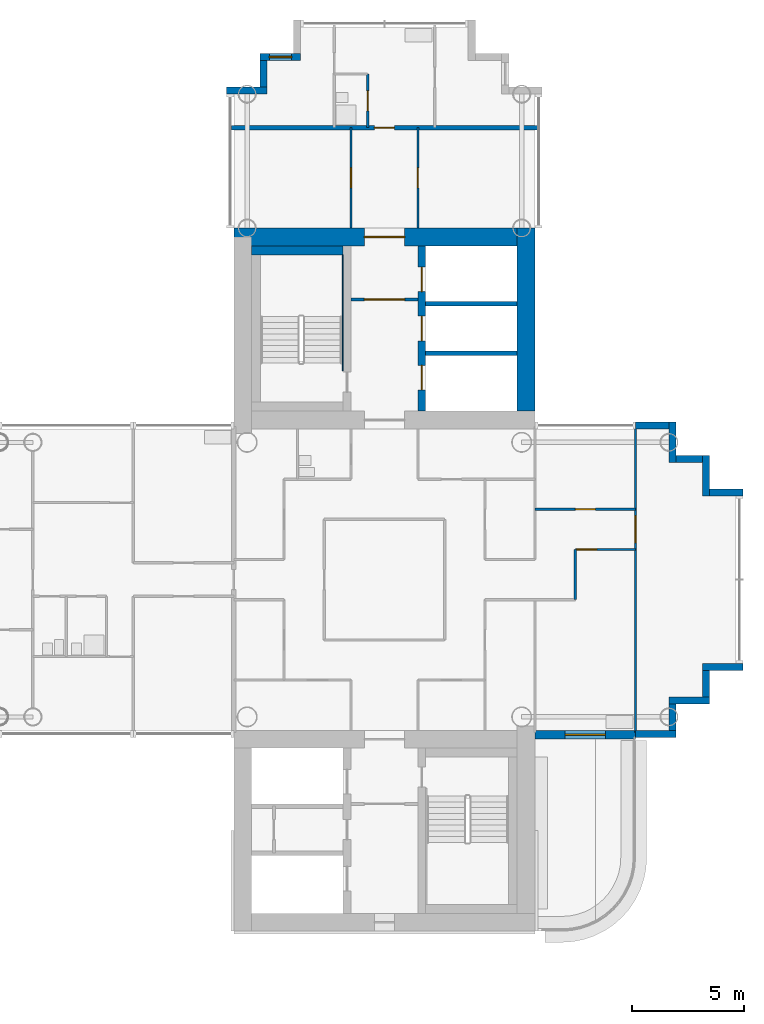
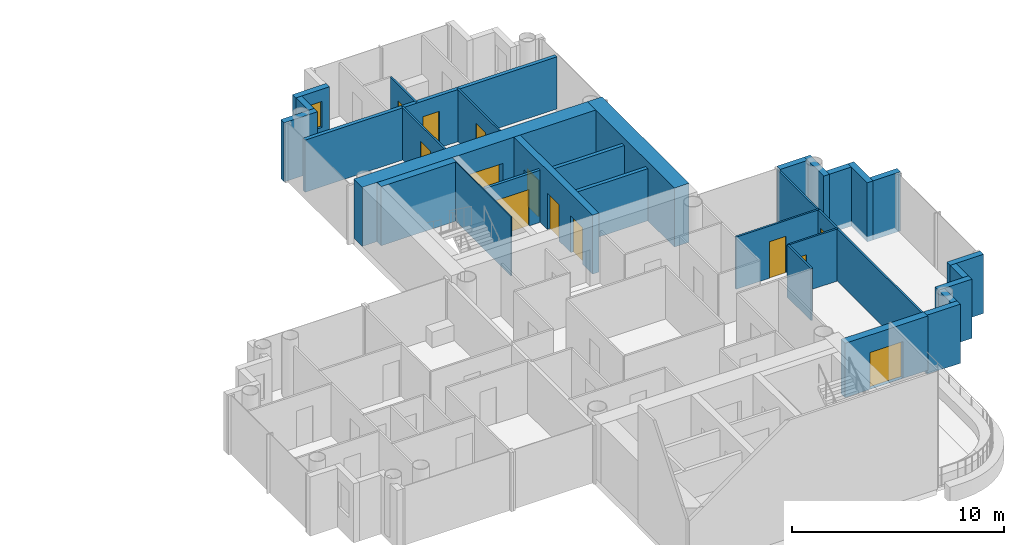
# One storey, part 12 of 20: 30 walls, 13 doors, 1 window, 14 openings.
"""IFC4 building model written with IfcOpenShell, lengths in metres."""

import ifcopenshell
import ifcopenshell.guid

model = None  # the IFC model being written
_history = None  # IfcOwnerHistory: only IFC2X3 demands one
_inside = {}  # id of a spatial element -> (the spatial element, [elements in it])
_under = {}  # id of a project, library or spatial element -> (it, [spatial elements below it])
_declared = {}  # id of a project -> (the project, [libraries it declares])
_typed = {}  # id of a type object -> (the type object, [elements of that type])
_made_of = {}  # id of a material, layer set ... -> (it, [elements and type objects made of it])


def new_model(schema):
    """Start an empty IFC model of exactly this schema.

    Asked for "IFC4X3", IfcOpenShell would pick the latest addendum, in which some entities
    have other attributes; the version numbers below select the first issue.
    IFC2X3 requires an IfcOwnerHistory on every rooted entity: one is made here for all.
    """
    global model, _history
    if schema == "IFC4X3":
        model = ifcopenshell.file(schema_version=(4, 3, 0, 0))
    else:
        model = ifcopenshell.file(schema=schema)
    _inside.clear()
    _under.clear()
    _declared.clear()
    _typed.clear()
    _made_of.clear()
    _history = None
    if model.schema == "IFC2X3":
        org = make("IfcOrganization", Name="unknown")
        user = make(
            "IfcPersonAndOrganization",
            ThePerson=make("IfcPerson", FamilyName="unknown"),
            TheOrganization=org,
        )
        app = make(
            "IfcApplication",
            ApplicationDeveloper=org,
            Version="unknown",
            ApplicationFullName="unknown",
            ApplicationIdentifier="unknown",
        )
        _history = make(
            "IfcOwnerHistory",
            OwningUser=user,
            OwningApplication=app,
            ChangeAction="ADDED",
            CreationDate=0,
        )
    return model


def make(cls, **values):
    """One entity of the class cls with the attributes given. An attribute that is None is left unset."""
    return model.create_entity(
        cls, **{name: value for name, value in values.items() if value is not None}
    )


def rooted(cls, **values):
    """An entity with a GlobalId (a new one), such as an element, a storey or a relation."""
    return make(cls, GlobalId=ifcopenshell.guid.new(), OwnerHistory=_history, **values)


def si_unit(unit_type, name, prefix=None):
    """IfcSIUnit, for example si_unit("LENGTHUNIT", "METRE", prefix="MILLI")."""
    return make("IfcSIUnit", UnitType=unit_type, Prefix=prefix, Name=name)


def assignment(units):
    """IfcUnitAssignment: the units of a project."""
    return None if units is None else make("IfcUnitAssignment", Units=units)


def point(xyz):
    """IfcCartesianPoint."""
    return None if xyz is None else make("IfcCartesianPoint", Coordinates=xyz)


def direction(xyz):
    """IfcDirection."""
    return None if xyz is None else make("IfcDirection", DirectionRatios=xyz)


def frame(location, z_axis=None, x_axis=None):
    """IfcAxis2Placement3D, a coordinate frame: its origin and axes. An axis left out is left unset."""
    return make(
        "IfcAxis2Placement3D",
        Location=point(location),
        Axis=direction(z_axis),
        RefDirection=direction(x_axis),
    )


def frame_2d(location, x_axis=None):
    """IfcAxis2Placement2D, a coordinate frame in the plane: its origin and x axis."""
    return make(
        "IfcAxis2Placement2D", Location=point(location), RefDirection=direction(x_axis)
    )


def origin():
    """The frame at (0, 0, 0) with its axes left unset."""
    return frame((0.0, 0.0, 0.0))


def place(relative_to, where):
    """IfcLocalPlacement: puts the frame where relative to a parent placement (None: the world)."""
    return make(
        "IfcLocalPlacement", PlacementRelTo=relative_to, RelativePlacement=where
    )


def context(
    kind, dimensions, precision=None, world=None, true_north=None, identifier=None
):
    """IfcGeometricRepresentationContext, for example the 3D "Model" context."""
    return make(
        "IfcGeometricRepresentationContext",
        ContextIdentifier=identifier,
        ContextType=kind,
        CoordinateSpaceDimension=dimensions,
        Precision=precision,
        WorldCoordinateSystem=world,
        TrueNorth=true_north,
    )


def subcontext(parent, identifier, kind, view, scale=None):
    """IfcGeometricRepresentationSubContext, for example "Body" below "Model"."""
    return make(
        "IfcGeometricRepresentationSubContext",
        ContextIdentifier=identifier,
        ContextType=kind,
        ParentContext=parent,
        TargetScale=scale,
        TargetView=view,
    )


def project(units=None, contexts=None):
    """IfcProject with its units and contexts."""
    return rooted(
        "IfcProject",
        Name="project",
        RepresentationContexts=contexts,
        UnitsInContext=assignment(units),
    )


def spatial(cls, under=None, at=None, **own):
    """A site, building, storey or space (cls), placed at a placement, below another one or the project."""
    s = rooted(cls, ObjectPlacement=at, **own)
    if under is not None:
        _under.setdefault(under.id(), (under, []))[1].append(s)
    return s


def profile(cls, at=None, kind="AREA", **sizes):
    """A parametric profile (cls). Its sizes go by their IFC names, for example OverallWidth=200.0."""
    return make(cls, ProfileType=kind, Position=at, **sizes)


def rectangle(**sizes):
    """IfcRectangleProfileDef."""
    return profile("IfcRectangleProfileDef", **sizes)


def extrude(swept, where, along, depth):
    """IfcExtrudedAreaSolid: the profile swept, set in the frame where, extruded along a direction by depth."""
    return make(
        "IfcExtrudedAreaSolid",
        SweptArea=swept,
        Position=where,
        ExtrudedDirection=direction(along),
        Depth=depth,
    )


def shape(context_of_items, identifier, shape_type, items):
    """IfcShapeRepresentation: the items that make up one representation, for example the "Body"."""
    return make(
        "IfcShapeRepresentation",
        ContextOfItems=context_of_items,
        RepresentationIdentifier=identifier,
        RepresentationType=shape_type,
        Items=items,
    )


def material(Name=None, Category=None):
    """IfcMaterial."""
    return make("IfcMaterial", Name=Name, Category=Category)


def layer(
    of_material, thickness, ventilated=None, Name=None, Category=None, Priority=None
):
    """IfcMaterialLayer: one layer of a wall or slab, of a material (None: an air gap)."""
    return make(
        "IfcMaterialLayer",
        Material=of_material,
        LayerThickness=thickness,
        IsVentilated=ventilated,
        Name=Name,
        Category=Category,
        Priority=Priority,
    )


def layer_set(layers, Name=None):
    """IfcMaterialLayerSet."""
    return make("IfcMaterialLayerSet", MaterialLayers=layers, LayerSetName=Name)


def made_of(thing, what):
    """Note that an element or type object is made of a material, layer set ...; save() writes the relation."""
    if what is not None:
        _made_of.setdefault(what.id(), (what, []))[1].append(thing)
    return thing


def type_object(cls, material=None, **own):
    """A type object (cls), such as IfcWallType, which elements share."""
    return made_of(rooted(cls, **own), material)


def element(
    cls,
    number,
    at=None,
    inside=None,
    cuts=None,
    type_object=None,
    material=None,
    context=None,
    identifier="Body",
    shape_type=None,
    held_by="IfcProductDefinitionShape",
    body=None,
    shapes=None,
    **own,
):
    """One element of the class cls, such as IfcWall. Its Tag is "e" and its number.

    at: its placement. inside: the storey or other place that contains it. cuts: it is an
    opening in that element (IfcRelVoidsElement). A single representation is given by context,
    identifier, shape_type and body (its items); several are given by shapes. held_by: the class
    of the entity that holds the representations. save() writes the other relations.
    """
    e = rooted(cls, Tag="e%d" % number, ObjectPlacement=at, **own)
    if body is not None:
        shapes = [shape(context, identifier, shape_type, body)]
    if shapes is not None:
        e.Representation = make(held_by, Representations=shapes)
    if inside is not None:
        _inside.setdefault(inside.id(), (inside, []))[1].append(e)
    if cuts is not None:
        rooted(
            "IfcRelVoidsElement", RelatingBuildingElement=cuts, RelatedOpeningElement=e
        )
    if type_object is not None:
        _typed.setdefault(type_object.id(), (type_object, []))[1].append(e)
    return made_of(e, material)


def fill(opening, filler):
    """IfcRelFillsElement: the door or window that sits in an opening."""
    return rooted(
        "IfcRelFillsElement",
        RelatingOpeningElement=opening,
        RelatedBuildingElement=filler,
    )


def aggregate(whole, parts):
    """IfcRelAggregates: a whole, such as a stair, and the parts it consists of."""
    return rooted("IfcRelAggregates", RelatingObject=whole, RelatedObjects=parts)


def save(model, path):
    """Write the relations noted so far, then the file.

    IfcRelAggregates (storeys below a building ...), IfcRelContainedInSpatialStructure (elements
    in a storey), IfcRelDefinesByType, IfcRelAssociatesMaterial and IfcRelDeclares: one each for
    every whole, place, type object, material and project.
    """
    for whole, parts in _under.values():
        aggregate(whole, parts)
    for where, things in _inside.values():
        rooted(
            "IfcRelContainedInSpatialStructure",
            RelatedElements=things,
            RelatingStructure=where,
        )
    for kind, things in _typed.values():
        rooted("IfcRelDefinesByType", RelatedObjects=things, RelatingType=kind)
    for what, things in _made_of.values():
        rooted("IfcRelAssociatesMaterial", RelatedObjects=things, RelatingMaterial=what)
    for by, libraries in _declared.values():
        rooted("IfcRelDeclares", RelatingContext=by, RelatedDefinitions=libraries)
    model.write(path)


model = new_model("IFC4")

# Units and contexts
model_context = context("Model", 3, precision=1e-05, world=origin(), true_north=direction((0.0, 1.0)))
body_context = subcontext(model_context, "Body", "Model", "MODEL_VIEW")
ifc_project = project(units=[si_unit("LENGTHUNIT", "METRE"), si_unit("AREAUNIT", "SQUARE_METRE"), si_unit("VOLUMEUNIT", "CUBIC_METRE"), si_unit("PLANEANGLEUNIT", "RADIAN"), si_unit("MASSUNIT", "GRAM", prefix="KILO")], contexts=[model_context])

# Site, building, storey
site_placement = place(None, origin())
site = spatial("IfcSite", under=ifc_project, at=site_placement, CompositionType="ELEMENT")
building_placement = place(site_placement, origin())
building = spatial("IfcBuilding", under=site, at=building_placement, Name="Ipe Terrace Towers", CompositionType="ELEMENT")
storey_placement = place(building_placement, frame((0.0, 0.0, 154.10009765625)))
storey = spatial("IfcBuildingStorey", under=building, at=storey_placement, Name="L42", CompositionType="ELEMENT", Elevation=154.10009765625)

# Wall, opening, door
ifc_material_1 = material(Name="Concrete C40/50 with buff precast cladding", Category="concrete")
ifc_layer_1 = layer(ifc_material_1, 0.39990234375)
ifc_layer_set_1 = layer_set([ifc_layer_1], Name="BALCONY BAY WALL 400")
wall_type_1 = type_object("IfcWallType", Name="BALCONY BAY WALL 400", PredefinedType="STANDARD", material=ifc_layer_set_1)
wall_1_placement = place(storey_placement, frame((42.75, -6.949951171875, -0.02001953125), z_axis=(0.0, 0.0, 1.0), x_axis=(1.0, 0.0, 0.0)))
wall_1 = element("IfcWall", 1, at=wall_1_placement, inside=storey, type_object=wall_type_1, Name="T2-W-L42-02a wall", PredefinedType="STANDARD", context=body_context, shape_type="SweptSolid", body=[
    extrude(rectangle(XDim=4.5, YDim=0.39990234375, at=frame_2d((2.25, 0.0))), origin(), (0.0, 0.0, 1.0), 3.119873046875),
])
opening_1_placement = place(wall_1_placement, frame((1.35009765625, 0.0, 0.02001953125)))
opening_1 = element("IfcOpeningElement", 2, at=opening_1_placement, cuts=wall_1, Name="Opening T2-D-L42-02", PredefinedType="OPENING", context=body_context, shape_type="SweptSolid", body=[
    extrude(rectangle(XDim=1.800048828125, YDim=2.10009765625, at=frame_2d((0.89990234375, 1.050048828125))), frame((0.0, 0.2099609375, 0.0), z_axis=(0.0, -1.0, 0.0), x_axis=(1.0, 0.0, 0.0)), (0.0, 0.0, 1.0), 0.419921875),
])
ifc_material_2 = material(Name="Aluminium alloy 6063-T6 framed glazed door", Category="aluminium")
door_type_1 = type_object("IfcDoorType", Name="BALCONY DOOR 1800 x 2100 RIGHT", OperationType="SINGLE_SWING_RIGHT", PredefinedType="DOOR", material=ifc_material_2)
door_1_placement = place(opening_1_placement, origin())
door_1 = element("IfcDoor", 3, at=door_1_placement, inside=storey, type_object=door_type_1, Name="DB2 door", OperationType="SINGLE_SWING_RIGHT", OverallHeight=2.10009765625, OverallWidth=1.800048828125, PredefinedType="DOOR", context=body_context, shape_type="SweptSolid", body=[
    extrude(rectangle(XDim=1.800048828125, YDim=2.10009765625, at=frame_2d((0.89990234375, 1.050048828125))), frame((0.0, 0.02490234375, 0.0), z_axis=(0.0, -1.0, 0.0), x_axis=(1.0, 0.0, 0.0)), (0.0, 0.0, 1.0), 0.050048828125),
])
fill(opening_1, door_1)

# Walls
ifc_material_3 = material(Name="Concrete C40/50 with buff precast cladding", Category="concrete")
ifc_layer_2 = layer(ifc_material_3, 0.320068359375)
ifc_layer_set_2 = layer_set([ifc_layer_2], Name="BUFF CLADDING WALL 320")
wall_type_2 = type_object("IfcWallType", Name="BUFF CLADDING WALL 320", PredefinedType="STANDARD", material=ifc_layer_set_2)
wall_2_placement = place(storey_placement, frame((47.25, -6.909912109375, -0.300048828125), z_axis=(0.0, 0.0, 1.0), x_axis=(1.0, 0.0, 0.0)))
element("IfcWall", 4, at=wall_2_placement, inside=storey, type_object=wall_type_2, Name="T2-W-L42-03a wall", PredefinedType="STANDARD", context=body_context, shape_type="SweptSolid", body=[
    extrude(rectangle(XDim=1.820068359375, YDim=0.320068359375, at=frame_2d((0.91015625, 0.0))), origin(), (0.0, 0.0, 1.0), 3.39990234375),
])
wall_3_placement = place(storey_placement, frame((48.909912109375, -6.75, -0.300048828125), z_axis=(0.0, 0.0, 1.0), x_axis=(0.0, 1.0, 0.0)))
element("IfcWall", 5, at=wall_3_placement, inside=storey, type_object=wall_type_2, Name="T2-W-L42-04a wall", PredefinedType="STANDARD", context=body_context, shape_type="SweptSolid", body=[
    extrude(rectangle(XDim=1.179931640625, YDim=0.320068359375, at=frame_2d((0.58984375, 0.0))), origin(), (0.0, 0.0, 1.0), 3.39990234375),
])
wall_4_placement = place(storey_placement, frame((48.75, -5.409912109375, -0.300048828125), z_axis=(0.0, 0.0, 1.0), x_axis=(1.0, 0.0, 0.0)))
element("IfcWall", 6, at=wall_4_placement, inside=storey, type_object=wall_type_2, Name="T2-W-L42-05a wall", PredefinedType="STANDARD", context=body_context, shape_type="SweptSolid", body=[
    extrude(rectangle(XDim=1.820068359375, YDim=0.320068359375, at=frame_2d((0.91015625, 0.0))), origin(), (0.0, 0.0, 1.0), 3.39990234375),
])
wall_5_placement = place(storey_placement, frame((50.409912109375, -5.25, -0.300048828125), z_axis=(0.0, 0.0, 1.0), x_axis=(0.0, 1.0, 0.0)))
element("IfcWall", 7, at=wall_5_placement, inside=storey, type_object=wall_type_2, Name="T2-W-L42-06a wall", PredefinedType="STANDARD", context=body_context, shape_type="SweptSolid", body=[
    extrude(rectangle(XDim=1.179931640625, YDim=0.320068359375, at=frame_2d((0.58984375, 0.0))), origin(), (0.0, 0.0, 1.0), 3.39990234375),
])
wall_6_placement = place(storey_placement, frame((50.25, -3.909912109375, -0.300048828125), z_axis=(0.0, 0.0, 1.0), x_axis=(1.0, 0.0, 0.0)))
element("IfcWall", 8, at=wall_6_placement, inside=storey, type_object=wall_type_2, Name="T2-W-L42-07a wall", PredefinedType="STANDARD", context=body_context, shape_type="SweptSolid", body=[
    extrude(rectangle(XDim=1.820068359375, YDim=0.320068359375, at=frame_2d((0.91015625, 0.0))), origin(), (0.0, 0.0, 1.0), 3.39990234375),
])
wall_7_placement = place(storey_placement, frame((52.070068359375, 3.909912109375, -0.300048828125), z_axis=(0.0, 0.0, 1.0), x_axis=(-1.0, 0.0, 0.0)))
element("IfcWall", 9, at=wall_7_placement, inside=storey, type_object=wall_type_2, Name="T2-W-L42-09a wall", PredefinedType="STANDARD", context=body_context, shape_type="SweptSolid", body=[
    extrude(rectangle(XDim=1.5, YDim=0.320068359375, at=frame_2d((0.75, 0.0))), origin(), (0.0, 0.0, 1.0), 3.39990234375),
])
wall_8_placement = place(storey_placement, frame((50.409912109375, 3.75, -0.300048828125), z_axis=(0.0, 0.0, 1.0), x_axis=(0.0, 1.0, 0.0)))
element("IfcWall", 10, at=wall_8_placement, inside=storey, type_object=wall_type_2, Name="T2-W-L42-10a wall", PredefinedType="STANDARD", context=body_context, shape_type="SweptSolid", body=[
    extrude(rectangle(XDim=1.820068359375, YDim=0.320068359375, at=frame_2d((0.91015625, 0.0))), origin(), (0.0, 0.0, 1.0), 3.39990234375),
])
wall_9_placement = place(storey_placement, frame((50.25, 5.409912109375, -0.300048828125), z_axis=(0.0, 0.0, 1.0), x_axis=(-1.0, 0.0, 0.0)))
element("IfcWall", 11, at=wall_9_placement, inside=storey, type_object=wall_type_2, Name="T2-W-L42-11a wall", PredefinedType="STANDARD", context=body_context, shape_type="SweptSolid", body=[
    extrude(rectangle(XDim=1.179931640625, YDim=0.320068359375, at=frame_2d((0.58984375, 0.0))), origin(), (0.0, 0.0, 1.0), 3.39990234375),
])
wall_10_placement = place(storey_placement, frame((48.909912109375, 5.25, -0.300048828125), z_axis=(0.0, 0.0, 1.0), x_axis=(0.0, 1.0, 0.0)))
element("IfcWall", 12, at=wall_10_placement, inside=storey, type_object=wall_type_2, Name="T2-W-L42-12a wall", PredefinedType="STANDARD", context=body_context, shape_type="SweptSolid", body=[
    extrude(rectangle(XDim=1.820068359375, YDim=0.320068359375, at=frame_2d((0.91015625, 0.0))), origin(), (0.0, 0.0, 1.0), 3.39990234375),
])
wall_11_placement = place(storey_placement, frame((48.75, 6.909912109375, -0.300048828125), z_axis=(0.0, 0.0, 1.0), x_axis=(-1.0, 0.0, 0.0)))
element("IfcWall", 13, at=wall_11_placement, inside=storey, type_object=wall_type_2, Name="T2-W-L42-13a wall", PredefinedType="STANDARD", context=body_context, shape_type="SweptSolid", body=[
    extrude(rectangle(XDim=1.5, YDim=0.320068359375, at=frame_2d((0.75, 0.0))), origin(), (0.0, 0.0, 1.0), 3.39990234375),
])

# Wall, opening, window
wall_12_placement = place(storey_placement, frame((32.25, 23.409912109375, -0.300048828125), z_axis=(0.0, 0.0, 1.0), x_axis=(-1.0, 0.0, 0.0)))
wall_12 = element("IfcWall", 14, at=wall_12_placement, inside=storey, type_object=wall_type_2, Name="T2-W-L42-23a wall", PredefinedType="STANDARD", context=body_context, shape_type="SweptSolid", body=[
    extrude(rectangle(XDim=1.820068359375, YDim=0.320068359375, at=frame_2d((0.91015625, 0.0))), origin(), (0.0, 0.0, 1.0), 3.39990234375),
])
opening_2_placement = place(wall_12_placement, frame((0.409912109375, 0.0, 1.199951171875)))
opening_2 = element("IfcOpeningElement", 15, at=opening_2_placement, cuts=wall_12, Name="Opening T2-W-05-L42-03", PredefinedType="OPENING", context=body_context, shape_type="SweptSolid", body=[
    extrude(rectangle(XDim=1.0, YDim=1.5, at=frame_2d((0.5, 0.75))), frame((0.0, 0.169921875, 0.0), z_axis=(0.0, -1.0, 0.0), x_axis=(1.0, 0.0, 0.0)), (0.0, 0.0, 1.0), 0.340087890625),
])
ifc_material_4 = material(Name="Glass, clear laminated", Category="glass")
window_type = type_object("IfcWindowType", Name="DWELLING WINDOW 1000 x 1500", PartitioningType="SINGLE_PANEL", PredefinedType="WINDOW", material=ifc_material_4)
window_placement = place(opening_2_placement, origin())
window = element("IfcWindow", 16, at=window_placement, inside=storey, type_object=window_type, Name="W-05 window", OverallHeight=1.5, OverallWidth=1.0, PartitioningType="SINGLE_PANEL", PredefinedType="WINDOW", context=body_context, shape_type="SweptSolid", body=[
    extrude(rectangle(XDim=1.0, YDim=1.5, at=frame_2d((0.5, 0.75))), frame((0.0, 0.030029296875, 0.0), z_axis=(0.0, -1.0, 0.0), x_axis=(1.0, 0.0, 0.0)), (0.0, 0.0, 1.0), 0.06005859375),
])
fill(opening_2, window)

# Walls
wall_13_placement = place(storey_placement, frame((30.590087890625, 23.25, -0.300048828125), z_axis=(0.0, 0.0, 1.0), x_axis=(0.0, -1.0, 0.0)))
element("IfcWall", 17, at=wall_13_placement, inside=storey, type_object=wall_type_2, Name="T2-W-L42-24a wall", PredefinedType="STANDARD", context=body_context, shape_type="SweptSolid", body=[
    extrude(rectangle(XDim=1.179931640625, YDim=0.320068359375, at=frame_2d((0.58984375, 0.0))), origin(), (0.0, 0.0, 1.0), 3.39990234375),
])
wall_14_placement = place(storey_placement, frame((30.75, 21.909912109375, -0.300048828125), z_axis=(0.0, 0.0, 1.0), x_axis=(-1.0, 0.0, 0.0)))
element("IfcWall", 18, at=wall_14_placement, inside=storey, type_object=wall_type_2, Name="T2-W-L42-25a wall", PredefinedType="STANDARD", context=body_context, shape_type="SweptSolid", body=[
    extrude(rectangle(XDim=1.820068359375, YDim=0.320068359375, at=frame_2d((0.91015625, 0.0))), origin(), (0.0, 0.0, 1.0), 3.39990234375),
])

# Wall, opening, door
ifc_material_5 = material(Name="Gypsum board partition", Category="plasterboard")
ifc_layer_3 = layer(ifc_material_5, 0.10009765625)
ifc_layer_set_3 = layer_set([ifc_layer_3], Name="Gypsum board partition 100 mm")
wall_type_3 = type_object("IfcWallType", Name="Gypsum board partition 100 mm", PredefinedType="PARTITIONING", material=ifc_layer_set_3)
wall_15_placement = place(storey_placement, frame((47.25, 1.35009765625, 0.0), z_axis=(0.0, 0.0, 1.0), x_axis=(-1.0, 0.0, 0.0)))
wall_15 = element("IfcWall", 19, at=wall_15_placement, inside=storey, type_object=wall_type_3, Name="Gypsum board partition T2 L42 W13", PredefinedType="PARTITIONING", context=body_context, shape_type="SweptSolid", body=[
    extrude(rectangle(XDim=2.699951171875, YDim=0.10009765625, at=frame_2d((1.35009765625, 0.0))), origin(), (0.0, 0.0, 1.0), 3.0),
])
opening_3_placement = place(wall_15_placement, frame((1.72998046875, 0.0, 0.0)))
opening_3 = element("IfcOpeningElement", 20, at=opening_3_placement, cuts=wall_15, Name="Opening T2-Z3C-21", PredefinedType="OPENING", context=body_context, shape_type="SweptSolid", body=[
    extrude(rectangle(XDim=0.89990234375, YDim=2.10009765625, at=frame_2d((0.449951171875, 1.050048828125))), frame((0.0, 0.06005859375, 0.0), z_axis=(0.0, -1.0, 0.0), x_axis=(1.0, 0.0, 0.0)), (0.0, 0.0, 1.0), 0.1201171875),
])
ifc_material_6 = material(Name="Timber door leaf", Category="wood")
door_type_2 = type_object("IfcDoorType", Name="Lounge door 900 x 2100", OperationType="NOTDEFINED", PredefinedType="DOOR", material=ifc_material_6)
door_2_placement = place(opening_3_placement, origin())
door_2 = element("IfcDoor", 21, at=door_2_placement, inside=storey, type_object=door_type_2, Name="Lounge door T2-Z3C-21", OperationType="SINGLE_SWING_LEFT", OverallHeight=2.10009765625, OverallWidth=0.89990234375, PredefinedType="DOOR", context=body_context, shape_type="SweptSolid", body=[
    extrude(rectangle(XDim=0.89990234375, YDim=2.10009765625, at=frame_2d((0.449951171875, 1.050048828125))), frame((0.0, 0.02490234375, 0.0), z_axis=(0.0, -1.0, 0.0), x_axis=(1.0, 0.0, 0.0)), (0.0, 0.0, 1.0), 0.050048828125),
])
fill(opening_3, door_2)

wall_16_placement = place(storey_placement, frame((47.25, 3.14990234375, 0.0), z_axis=(0.0, 0.0, 1.0), x_axis=(-1.0, 0.0, 0.0)))
wall_16 = element("IfcWall", 22, at=wall_16_placement, inside=storey, type_object=wall_type_3, Name="Gypsum board partition T2 L42 W16", PredefinedType="PARTITIONING", context=body_context, shape_type="SweptSolid", body=[
    extrude(rectangle(XDim=4.5, YDim=0.10009765625, at=frame_2d((2.25, 0.0))), origin(), (0.0, 0.0, 1.0), 3.0),
])
opening_4_placement = place(wall_16_placement, frame((1.800048828125, 0.0, 0.0)))
opening_4 = element("IfcOpeningElement", 23, at=opening_4_placement, cuts=wall_16, Name="Opening T2-Z3C-20", PredefinedType="OPENING", context=body_context, shape_type="SweptSolid", body=[
    extrude(rectangle(XDim=0.89990234375, YDim=2.10009765625, at=frame_2d((0.449951171875, 1.050048828125))), frame((0.0, 0.06005859375, 0.0), z_axis=(0.0, -1.0, 0.0), x_axis=(1.0, 0.0, 0.0)), (0.0, 0.0, 1.0), 0.1201171875),
])
door_3_placement = place(opening_4_placement, origin())
door_3 = element("IfcDoor", 24, at=door_3_placement, inside=storey, type_object=door_type_2, Name="Lounge door T2-Z3C-20", OperationType="SINGLE_SWING_RIGHT", OverallHeight=2.10009765625, OverallWidth=0.89990234375, PredefinedType="DOOR", context=body_context, shape_type="SweptSolid", body=[
    extrude(rectangle(XDim=0.89990234375, YDim=2.10009765625, at=frame_2d((0.449951171875, 1.050048828125))), frame((0.0, 0.02490234375, 0.0), z_axis=(0.0, -1.0, 0.0), x_axis=(1.0, 0.0, 0.0)), (0.0, 0.0, 1.0), 0.050048828125),
])
fill(opening_4, door_3)

wall_17_placement = place(storey_placement, frame((47.25, -6.85009765625, 0.0), z_axis=(0.0, 0.0, 1.0), x_axis=(0.0, 1.0, 0.0)))
wall_17 = element("IfcWall", 25, at=wall_17_placement, inside=storey, type_object=wall_type_3, Name="Gypsum board partition T2 L42 W22", PredefinedType="PARTITIONING", context=body_context, shape_type="SweptSolid", body=[
    extrude(rectangle(XDim=13.7001953125, YDim=0.10009765625, at=frame_2d((6.85009765625, 0.0))), origin(), (0.0, 0.0, 1.0), 3.0),
])
opening_5_placement = place(wall_17_placement, frame((8.5, 0.0, 0.0)))
opening_5 = element("IfcOpeningElement", 26, at=opening_5_placement, cuts=wall_17, Name="Opening T2-Z3C-22", PredefinedType="OPENING", context=body_context, shape_type="SweptSolid", body=[
    extrude(rectangle(XDim=1.199951171875, YDim=2.10009765625, at=frame_2d((0.60009765625, 1.050048828125))), frame((0.0, 0.06005859375, 0.0), z_axis=(0.0, -1.0, 0.0), x_axis=(1.0, 0.0, 0.0)), (0.0, 0.0, 1.0), 0.1201171875),
])
ifc_material_7 = material(Name="Timber door leaf", Category="wood")
door_type_3 = type_object("IfcDoorType", Name="Lounge door 1200 x 2100", OperationType="NOTDEFINED", PredefinedType="DOOR", material=ifc_material_7)
door_4_placement = place(opening_5_placement, origin())
door_4 = element("IfcDoor", 27, at=door_4_placement, inside=storey, type_object=door_type_3, Name="Lounge door T2-Z3C-22", OperationType="SINGLE_SWING_RIGHT", OverallHeight=2.10009765625, OverallWidth=1.199951171875, PredefinedType="DOOR", context=body_context, shape_type="SweptSolid", body=[
    extrude(rectangle(XDim=1.199951171875, YDim=2.10009765625, at=frame_2d((0.60009765625, 1.050048828125))), frame((0.0, 0.02490234375, 0.0), z_axis=(0.0, -1.0, 0.0), x_axis=(1.0, 0.0, 0.0)), (0.0, 0.0, 1.0), 0.050048828125),
])
fill(opening_5, door_4)

# Wall
wall_18_placement = place(storey_placement, frame((44.550048828125, -0.89990234375, 0.0), z_axis=(0.0, 0.0, 1.0), x_axis=(0.0, 1.0, 0.0)))
element("IfcWall", 28, at=wall_18_placement, inside=storey, type_object=wall_type_3, Name="Gypsum board partition T2 L42 W23", PredefinedType="PARTITIONING", context=body_context, shape_type="SweptSolid", body=[
    extrude(rectangle(XDim=2.25, YDim=0.10009765625, at=frame_2d((1.125, 0.0))), origin(), (0.0, 0.0, 1.0), 3.0),
])

# Wall, opening, door
wall_19_placement = place(storey_placement, frame((37.5, 15.75, 0.0), z_axis=(0.0, 0.0, 1.0), x_axis=(0.0, 1.0, 0.0)))
wall_19 = element("IfcWall", 29, at=wall_19_placement, inside=storey, type_object=wall_type_3, Name="Gypsum board partition T2 L42 W32", PredefinedType="PARTITIONING", context=body_context, shape_type="SweptSolid", body=[
    extrude(rectangle(XDim=4.5, YDim=0.10009765625, at=frame_2d((2.25, 0.0))), origin(), (0.0, 0.0, 1.0), 3.0),
])
opening_6_placement = place(wall_19_placement, frame((1.800048828125, 0.0, 0.0)))
opening_6 = element("IfcOpeningElement", 30, at=opening_6_placement, cuts=wall_19, Name="Opening T2-Z3C-24", PredefinedType="OPENING", context=body_context, shape_type="SweptSolid", body=[
    extrude(rectangle(XDim=0.89990234375, YDim=2.10009765625, at=frame_2d((0.449951171875, 1.050048828125))), frame((0.0, 0.06005859375, 0.0), z_axis=(0.0, -1.0, 0.0), x_axis=(1.0, 0.0, 0.0)), (0.0, 0.0, 1.0), 0.1201171875),
])
door_5_placement = place(opening_6_placement, origin())
door_5 = element("IfcDoor", 31, at=door_5_placement, inside=storey, type_object=door_type_2, Name="Lounge door T2-Z3C-24", OperationType="SINGLE_SWING_RIGHT", OverallHeight=2.10009765625, OverallWidth=0.89990234375, PredefinedType="DOOR", context=body_context, shape_type="SweptSolid", body=[
    extrude(rectangle(XDim=0.89990234375, YDim=2.10009765625, at=frame_2d((0.449951171875, 1.050048828125))), frame((0.0, 0.02490234375, 0.0), z_axis=(0.0, -1.0, 0.0), x_axis=(1.0, 0.0, 0.0)), (0.0, 0.0, 1.0), 0.050048828125),
])
fill(opening_6, door_5)

wall_20_placement = place(storey_placement, frame((35.25, 20.25, 0.0), z_axis=(0.0, 0.0, 1.0), x_axis=(0.0, 1.0, 0.0)))
wall_20 = element("IfcWall", 32, at=wall_20_placement, inside=storey, type_object=wall_type_3, Name="Gypsum board partition T2 L42 W33", PredefinedType="PARTITIONING", context=body_context, shape_type="SweptSolid", body=[
    extrude(rectangle(XDim=2.39990234375, YDim=0.10009765625, at=frame_2d((1.199951171875, 0.0))), origin(), (0.0, 0.0, 1.0), 3.0),
])
opening_7_placement = place(wall_20_placement, frame((0.75, 0.0, 0.0)))
opening_7 = element("IfcOpeningElement", 33, at=opening_7_placement, cuts=wall_20, Name="Opening T2-Z3C-25", PredefinedType="OPENING", context=body_context, shape_type="SweptSolid", body=[
    extrude(rectangle(XDim=0.89990234375, YDim=2.10009765625, at=frame_2d((0.449951171875, 1.050048828125))), frame((0.0, 0.06005859375, 0.0), z_axis=(0.0, -1.0, 0.0), x_axis=(1.0, 0.0, 0.0)), (0.0, 0.0, 1.0), 0.1201171875),
])
ifc_material_8 = material(Name="Timber door leaf", Category="wood")
door_type_4 = type_object("IfcDoorType", Name="Bathroom door 900 x 2100", OperationType="NOTDEFINED", PredefinedType="DOOR", material=ifc_material_8)
door_6_placement = place(opening_7_placement, origin())
door_6 = element("IfcDoor", 34, at=door_6_placement, inside=storey, type_object=door_type_4, Name="Bathroom door T2-Z3C-25", OperationType="SINGLE_SWING_LEFT", OverallHeight=2.10009765625, OverallWidth=0.89990234375, PredefinedType="DOOR", context=body_context, shape_type="SweptSolid", body=[
    extrude(rectangle(XDim=0.89990234375, YDim=2.10009765625, at=frame_2d((0.449951171875, 1.050048828125))), frame((0.0, 0.02490234375, 0.0), z_axis=(0.0, -1.0, 0.0), x_axis=(1.0, 0.0, 0.0)), (0.0, 0.0, 1.0), 0.050048828125),
])
fill(opening_7, door_6)

wall_21_placement = place(storey_placement, frame((34.5, 15.75, 0.0), z_axis=(0.0, 0.0, 1.0), x_axis=(0.0, 1.0, 0.0)))
wall_21 = element("IfcWall", 35, at=wall_21_placement, inside=storey, type_object=wall_type_3, Name="Gypsum board partition T2 L42 W36", PredefinedType="PARTITIONING", context=body_context, shape_type="SweptSolid", body=[
    extrude(rectangle(XDim=4.5, YDim=0.10009765625, at=frame_2d((2.25, 0.0))), origin(), (0.0, 0.0, 1.0), 3.0),
])
opening_8_placement = place(wall_21_placement, frame((1.800048828125, 0.0, 0.0)))
opening_8 = element("IfcOpeningElement", 36, at=opening_8_placement, cuts=wall_21, Name="Opening T2-Z3C-23", PredefinedType="OPENING", context=body_context, shape_type="SweptSolid", body=[
    extrude(rectangle(XDim=0.89990234375, YDim=2.10009765625, at=frame_2d((0.449951171875, 1.050048828125))), frame((0.0, 0.06005859375, 0.0), z_axis=(0.0, -1.0, 0.0), x_axis=(1.0, 0.0, 0.0)), (0.0, 0.0, 1.0), 0.1201171875),
])
door_7_placement = place(opening_8_placement, origin())
door_7 = element("IfcDoor", 37, at=door_7_placement, inside=storey, type_object=door_type_2, Name="Lounge door T2-Z3C-23", OperationType="SINGLE_SWING_LEFT", OverallHeight=2.10009765625, OverallWidth=0.89990234375, PredefinedType="DOOR", context=body_context, shape_type="SweptSolid", body=[
    extrude(rectangle(XDim=0.89990234375, YDim=2.10009765625, at=frame_2d((0.449951171875, 1.050048828125))), frame((0.0, 0.02490234375, 0.0), z_axis=(0.0, -1.0, 0.0), x_axis=(1.0, 0.0, 0.0)), (0.0, 0.0, 1.0), 0.050048828125),
])
fill(opening_8, door_7)

ifc_material_9 = material(Name="Gypsum board partition", Category="plasterboard")
ifc_layer_4 = layer(ifc_material_9, 0.14990234375)
ifc_layer_set_4 = layer_set([ifc_layer_4], Name="Gypsum board partition 150 mm")
wall_type_4 = type_object("IfcWallType", Name="Gypsum board partition 150 mm", PredefinedType="PARTITIONING", material=ifc_layer_set_4)
wall_22_placement = place(storey_placement, frame((37.5, 12.550048828125, 0.0), z_axis=(0.0, 0.0, 1.0), x_axis=(-1.0, 0.0, 0.0)))
wall_22 = element("IfcWall", 38, at=wall_22_placement, inside=storey, type_object=wall_type_4, Name="Gypsum board partition T2 L42 t2c1-lobby-wall", PredefinedType="PARTITIONING", context=body_context, shape_type="SweptSolid", body=[
    extrude(rectangle(XDim=3.0, YDim=0.14990234375, at=frame_2d((1.5, 0.0))), origin(), (0.0, 0.0, 1.0), 3.0),
])
opening_9_placement = place(wall_22_placement, frame((0.60009765625, 0.0, 0.0)))
opening_9 = element("IfcOpeningElement", 39, at=opening_9_placement, cuts=wall_22, Name="Opening T2C1-VD", PredefinedType="OPENING", context=body_context, shape_type="SweptSolid", body=[
    extrude(rectangle(XDim=1.800048828125, YDim=2.10009765625, at=frame_2d((0.89990234375, 1.050048828125))), frame((0.0, 0.0849609375, 0.0), z_axis=(0.0, -1.0, 0.0), x_axis=(1.0, 0.0, 0.0)), (0.0, 0.0, 1.0), 0.169921875),
])
ifc_material_10 = material(Name="Fire-rated timber door leaf", Category="wood")
door_type_5 = type_object("IfcDoorType", Name="Lobby door 1800 x 2100 FD60", OperationType="NOTDEFINED", PredefinedType="DOOR", material=ifc_material_10)
door_8_placement = place(opening_9_placement, origin())
door_8 = element("IfcDoor", 40, at=door_8_placement, inside=storey, type_object=door_type_5, Name="Lobby door T2C1-VD", OperationType="SINGLE_SWING_LEFT", OverallHeight=2.10009765625, OverallWidth=1.800048828125, PredefinedType="DOOR", context=body_context, shape_type="SweptSolid", body=[
    extrude(rectangle(XDim=1.800048828125, YDim=2.10009765625, at=frame_2d((0.89990234375, 1.050048828125))), frame((0.0, 0.02490234375, 0.0), z_axis=(0.0, -1.0, 0.0), x_axis=(1.0, 0.0, 0.0)), (0.0, 0.0, 1.0), 0.050048828125),
])
fill(opening_9, door_8)

# Walls
ifc_material_11 = material(Name="Gypsum board party wall", Category="plasterboard")
ifc_layer_5 = layer(ifc_material_11, 0.199951171875)
ifc_layer_set_5 = layer_set([ifc_layer_5], Name="Gypsum board party wall 200 mm")
wall_type_5 = type_object("IfcWallType", Name="Gypsum board party wall 200 mm", PredefinedType="SOLIDWALL", material=ifc_layer_set_5)
for number, where, z_axis, x_axis, name in (
    (41, (41.949951171875, 10.14990234375, 0.0), (0.0, 0.0, 1.0), (-1.0, 0.0, 0.0), "Gypsum board party wall T2 L42 t2c1-shaft-div1"),
    (42, (41.949951171875, 12.35009765625, 0.0), (0.0, 0.0, 1.0), (-1.0, 0.0, 0.0), "Gypsum board party wall T2 L42 t2c1-shaft-div2"),
):
    element("IfcWall", number, at=place(storey_placement, frame(where, z_axis=z_axis, x_axis=x_axis)), inside=storey, type_object=wall_type_5, Name=name, PredefinedType="SOLIDWALL", context=body_context, shape_type="SweptSolid", body=[
        extrude(rectangle(XDim=4.099853515625, YDim=0.199951171875, at=frame_2d((2.0498046875, 0.0))), origin(), (0.0, 0.0, 1.0), 3.0),
    ])

# Wall, opening, door
wall_23_placement = place(storey_placement, frame((42.85009765625, 20.25, 0.0), z_axis=(0.0, 0.0, 1.0), x_axis=(-1.0, 0.0, 0.0)))
wall_23 = element("IfcWall", 43, at=wall_23_placement, inside=storey, type_object=wall_type_5, Name="Gypsum board party wall T2 L42 W20", PredefinedType="SOLIDWALL", context=body_context, shape_type="SweptSolid", body=[
    extrude(rectangle(XDim=13.7001953125, YDim=0.199951171875, at=frame_2d((6.85009765625, 0.0))), origin(), (0.0, 0.0, 1.0), 3.0),
])
opening_10_placement = place(wall_23_placement, frame((6.39990234375, 0.0, 0.0)))
opening_10 = element("IfcOpeningElement", 44, at=opening_10_placement, cuts=wall_23, Name="Opening T2-Z3C-26", PredefinedType="OPENING", context=body_context, shape_type="SweptSolid", body=[
    extrude(rectangle(XDim=0.89990234375, YDim=2.10009765625, at=frame_2d((0.449951171875, 1.050048828125))), frame((0.0, 0.10986328125, 0.0), z_axis=(0.0, -1.0, 0.0), x_axis=(1.0, 0.0, 0.0)), (0.0, 0.0, 1.0), 0.219970703125),
])
ifc_material_12 = material(Name="Fire-rated timber door leaf", Category="wood")
door_type_6 = type_object("IfcDoorType", Name="Flat entrance door 900 x 2100 FD30S", OperationType="NOTDEFINED", PredefinedType="DOOR", material=ifc_material_12)
door_9_placement = place(opening_10_placement, origin())
door_9 = element("IfcDoor", 45, at=door_9_placement, inside=storey, type_object=door_type_6, Name="Flat entrance door T2-Z3C-26", OperationType="SINGLE_SWING_RIGHT", OverallHeight=2.10009765625, OverallWidth=0.89990234375, PredefinedType="DOOR", context=body_context, shape_type="SweptSolid", body=[
    extrude(rectangle(XDim=0.89990234375, YDim=2.10009765625, at=frame_2d((0.449951171875, 1.050048828125))), frame((0.0, 0.02490234375, 0.0), z_axis=(0.0, -1.0, 0.0), x_axis=(1.0, 0.0, 0.0)), (0.0, 0.0, 1.0), 0.050048828125),
])
fill(opening_10, door_9)

# Wall, openings, doors
ifc_material_13 = material(Name="Concrete C50/60", Category="concrete")
ifc_layer_6 = layer(ifc_material_13, 0.35009765625)
ifc_layer_set_6 = layer_set([ifc_layer_6], Name="RW350 CORE SPINE WALL 350 C50-60")
wall_type_6 = type_object("IfcWallType", Name="RW350 CORE SPINE WALL 350 C50-60", PredefinedType="SHEAR", material=ifc_layer_set_6)
wall_24_placement = place(storey_placement, frame((37.675048828125, 7.550048828125, 0.0), z_axis=(0.0, 0.0, 1.0), x_axis=(0.0, 1.0, 0.0)))
wall_24 = element("IfcWall", 46, at=wall_24_placement, inside=storey, type_object=wall_type_6, Name="Core spine wall T2-C1-Z3-SW2", PredefinedType="SHEAR", context=body_context, shape_type="SweptSolid", body=[
    extrude(rectangle(XDim=7.39990234375, YDim=0.35009765625, at=frame_2d((3.699951171875, 0.0))), origin(), (0.0, 0.0, 1.0), 3.39990234375),
])
opening_11_placement = place(wall_24_placement, frame((0.949951171875, 0.0, 0.0)))
opening_11 = element("IfcOpeningElement", 47, at=opening_11_placement, cuts=wall_24, Name="Opening T2C1-LD1", PredefinedType="OPENING", context=body_context, shape_type="SweptSolid", body=[
    extrude(rectangle(XDim=1.10009765625, YDim=2.10009765625, at=frame_2d((0.550048828125, 1.050048828125))), frame((0.0, 0.18505859375, 0.0), z_axis=(0.0, -1.0, 0.0), x_axis=(1.0, 0.0, 0.0)), (0.0, 0.0, 1.0), 0.3701171875),
])
opening_12_placement = place(wall_24_placement, frame((3.14990234375, 0.0, 0.0)))
opening_12 = element("IfcOpeningElement", 48, at=opening_12_placement, cuts=wall_24, Name="Opening T2C1-LD2", PredefinedType="OPENING", context=body_context, shape_type="SweptSolid", body=[
    extrude(rectangle(XDim=1.10009765625, YDim=2.10009765625, at=frame_2d((0.550048828125, 1.050048828125))), frame((0.0, 0.18505859375, 0.0), z_axis=(0.0, -1.0, 0.0), x_axis=(1.0, 0.0, 0.0)), (0.0, 0.0, 1.0), 0.3701171875),
])
opening_13_placement = place(wall_24_placement, frame((5.35009765625, 0.0, 0.0)))
opening_13 = element("IfcOpeningElement", 49, at=opening_13_placement, cuts=wall_24, Name="Opening T2C1-LD3", PredefinedType="OPENING", context=body_context, shape_type="SweptSolid", body=[
    extrude(rectangle(XDim=1.10009765625, YDim=2.10009765625, at=frame_2d((0.550048828125, 1.050048828125))), frame((0.0, 0.18505859375, 0.0), z_axis=(0.0, -1.0, 0.0), x_axis=(1.0, 0.0, 0.0)), (0.0, 0.0, 1.0), 0.3701171875),
])
ifc_material_14 = material(Name="Fire-rated timber door leaf", Category="wood")
door_type_7 = type_object("IfcDoorType", Name="Sliding door 1100 x 2100 FD60", OperationType="SLIDING_TO_LEFT", PredefinedType="DOOR", material=ifc_material_14)
door_10_placement = place(opening_11_placement, origin())
door_10 = element("IfcDoor", 50, at=door_10_placement, inside=storey, type_object=door_type_7, Name="Sliding door T2C1-LD1", OperationType="SLIDING_TO_LEFT", OverallHeight=2.10009765625, OverallWidth=1.10009765625, PredefinedType="DOOR", context=body_context, shape_type="SweptSolid", body=[
    extrude(rectangle(XDim=1.10009765625, YDim=2.10009765625, at=frame_2d((0.550048828125, 1.050048828125))), frame((0.0, 0.02490234375, 0.0), z_axis=(0.0, -1.0, 0.0), x_axis=(1.0, 0.0, 0.0)), (0.0, 0.0, 1.0), 0.050048828125),
])
fill(opening_11, door_10)
door_11_placement = place(opening_12_placement, origin())
door_11 = element("IfcDoor", 51, at=door_11_placement, inside=storey, type_object=door_type_7, Name="Sliding door T2C1-LD2", OperationType="SLIDING_TO_LEFT", OverallHeight=2.10009765625, OverallWidth=1.10009765625, PredefinedType="DOOR", context=body_context, shape_type="SweptSolid", body=[
    extrude(rectangle(XDim=1.10009765625, YDim=2.10009765625, at=frame_2d((0.550048828125, 1.050048828125))), frame((0.0, 0.02490234375, 0.0), z_axis=(0.0, -1.0, 0.0), x_axis=(1.0, 0.0, 0.0)), (0.0, 0.0, 1.0), 0.050048828125),
])
fill(opening_12, door_11)
door_12_placement = place(opening_13_placement, origin())
door_12 = element("IfcDoor", 52, at=door_12_placement, inside=storey, type_object=door_type_7, Name="Sliding door T2C1-LD3", OperationType="SLIDING_TO_LEFT", OverallHeight=2.10009765625, OverallWidth=1.10009765625, PredefinedType="DOOR", context=body_context, shape_type="SweptSolid", body=[
    extrude(rectangle(XDim=1.10009765625, YDim=2.10009765625, at=frame_2d((0.550048828125, 1.050048828125))), frame((0.0, 0.02490234375, 0.0), z_axis=(0.0, -1.0, 0.0), x_axis=(1.0, 0.0, 0.0)), (0.0, 0.0, 1.0), 0.050048828125),
])
fill(opening_13, door_12)

# Walls
ifc_material_15 = material(Name="Concrete C50/60", Category="concrete")
ifc_layer_7 = layer(ifc_material_15, 0.39990234375)
ifc_layer_set_7 = layer_set([ifc_layer_7], Name="RW400 CORE INFILL WALL 400 C50-60")
wall_type_7 = type_object("IfcWallType", Name="RW400 CORE INFILL WALL 400 C50-60", PredefinedType="SHEAR", material=ifc_layer_set_7)
wall_25_placement = place(storey_placement, frame((34.14990234375, 14.75, 0.0), z_axis=(0.0, 0.0, 1.0), x_axis=(-1.0, 0.0, 0.0)))
element("IfcWall", 53, at=wall_25_placement, inside=storey, type_object=wall_type_7, Name="Core infill wall T2-C1-far", PredefinedType="SHEAR", context=body_context, shape_type="SweptSolid", body=[
    extrude(rectangle(XDim=4.099853515625, YDim=0.39990234375, at=frame_2d((2.0498046875, 0.0))), origin(), (0.0, 0.0, 1.0), 3.39990234375),
])
ifc_material_16 = material(Name="Concrete C50/60", Category="concrete")
ifc_layer_8 = layer(ifc_material_16, 0.050048828125)
ifc_layer_set_8 = layer_set([ifc_layer_8], Name="RW50 CORE INFILL WALL 50 C50-60")
wall_type_8 = type_object("IfcWallType", Name="RW50 CORE INFILL WALL 50 C50-60", PredefinedType="SHEAR", material=ifc_layer_set_8)
wall_26_placement = place(storey_placement, frame((34.125, 9.35009765625, 0.0), z_axis=(0.0, 0.0, 1.0), x_axis=(0.0, 1.0, 0.0)))
element("IfcWall", 54, at=wall_26_placement, inside=storey, type_object=wall_type_8, Name="Core infill wall T2-C1-spine-b", PredefinedType="SHEAR", context=body_context, shape_type="SweptSolid", body=[
    extrude(rectangle(XDim=5.199951171875, YDim=0.050048828125, at=frame_2d((2.60009765625, 0.0))), origin(), (0.0, 0.0, 1.0), 3.39990234375),
])
ifc_material_17 = material(Name="Concrete C50/60", Category="concrete")
ifc_layer_9 = layer(ifc_material_17, 0.800048828125)
ifc_layer_set_9 = layer_set([ifc_layer_9], Name="RW800 CORE WALL 800 C50-60")
wall_type_9 = type_object("IfcWallType", Name="RW800 CORE WALL 800 C50-60", PredefinedType="SHEAR", material=ifc_layer_set_9)
wall_27_placement = place(storey_placement, frame((42.35009765625, 7.550048828125, 0.0), z_axis=(0.0, 0.0, 1.0), x_axis=(0.0, 1.0, 0.0)))
element("IfcWall", 55, at=wall_27_placement, inside=storey, type_object=wall_type_9, Name="Core wall T2-C1-Z3-W02", PredefinedType="SHEAR", context=body_context, shape_type="SweptSolid", body=[
    extrude(rectangle(XDim=8.199951171875, YDim=0.800048828125, at=frame_2d((4.10009765625, 0.0))), origin(), (0.0, 0.0, 1.0), 3.39990234375),
])

# Wall, opening, door
wall_28_placement = place(storey_placement, frame((41.949951171875, 15.35009765625, 0.0), z_axis=(0.0, 0.0, 1.0), x_axis=(-1.0, 0.0, 0.0)))
wall_28 = element("IfcWall", 56, at=wall_28_placement, inside=storey, type_object=wall_type_9, Name="Core wall T2-C1-Z3-W03", PredefinedType="SHEAR", context=body_context, shape_type="SweptSolid", body=[
    extrude(rectangle(XDim=12.699951171875, YDim=0.800048828125, at=frame_2d((6.35009765625, 0.0))), origin(), (0.0, 0.0, 1.0), 3.39990234375),
])
opening_14_placement = place(wall_28_placement, frame((5.050048828125, 0.0, 0.0)))
opening_14 = element("IfcOpeningElement", 57, at=opening_14_placement, cuts=wall_28, Name="Opening T2C1-FD", PredefinedType="OPENING", context=body_context, shape_type="SweptSolid", body=[
    extrude(rectangle(XDim=1.800048828125, YDim=2.10009765625, at=frame_2d((0.89990234375, 1.050048828125))), frame((0.0, 0.41015625, 0.0), z_axis=(0.0, -1.0, 0.0), x_axis=(1.0, 0.0, 0.0)), (0.0, 0.0, 1.0), 0.820068359375),
])
ifc_material_18 = material(Name="Fire-rated timber door leaf", Category="wood")
door_type_8 = type_object("IfcDoorType", Name="Fire door 1800 x 2100 FD30S", OperationType="NOTDEFINED", PredefinedType="DOOR", material=ifc_material_18)
door_13_placement = place(opening_14_placement, origin())
door_13 = element("IfcDoor", 58, at=door_13_placement, inside=storey, type_object=door_type_8, Name="Fire door T2C1-FD", OperationType="SINGLE_SWING_LEFT", OverallHeight=2.10009765625, OverallWidth=1.800048828125, PredefinedType="DOOR", context=body_context, shape_type="SweptSolid", body=[
    extrude(rectangle(XDim=1.800048828125, YDim=2.10009765625, at=frame_2d((0.89990234375, 1.050048828125))), frame((0.0, 0.02490234375, 0.0), z_axis=(0.0, -1.0, 0.0), x_axis=(1.0, 0.0, 0.0)), (0.0, 0.0, 1.0), 0.050048828125),
])
fill(opening_14, door_13)

save(model, "model.ifc")
